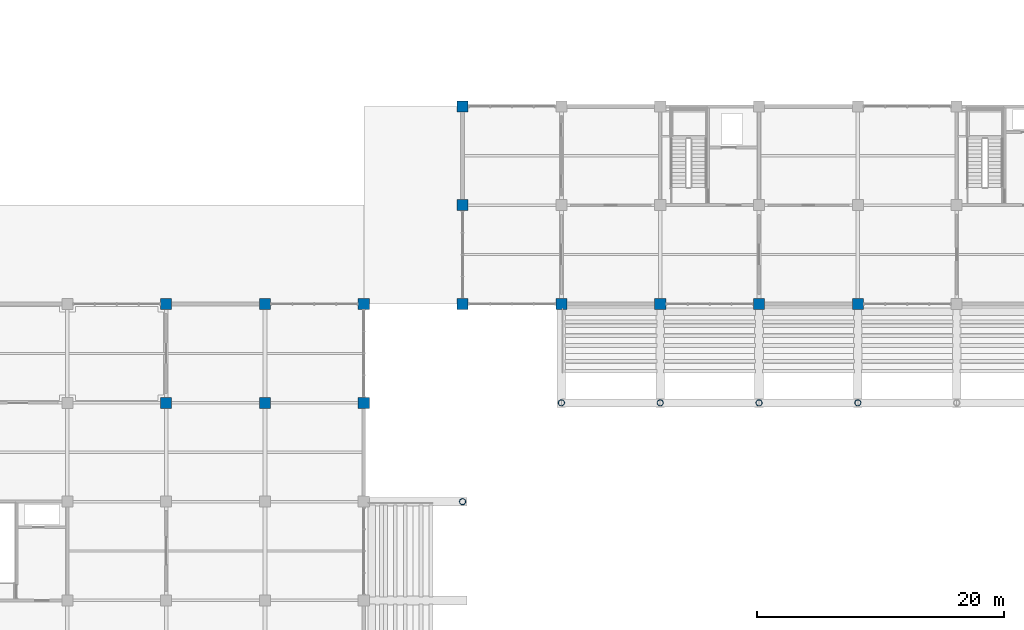
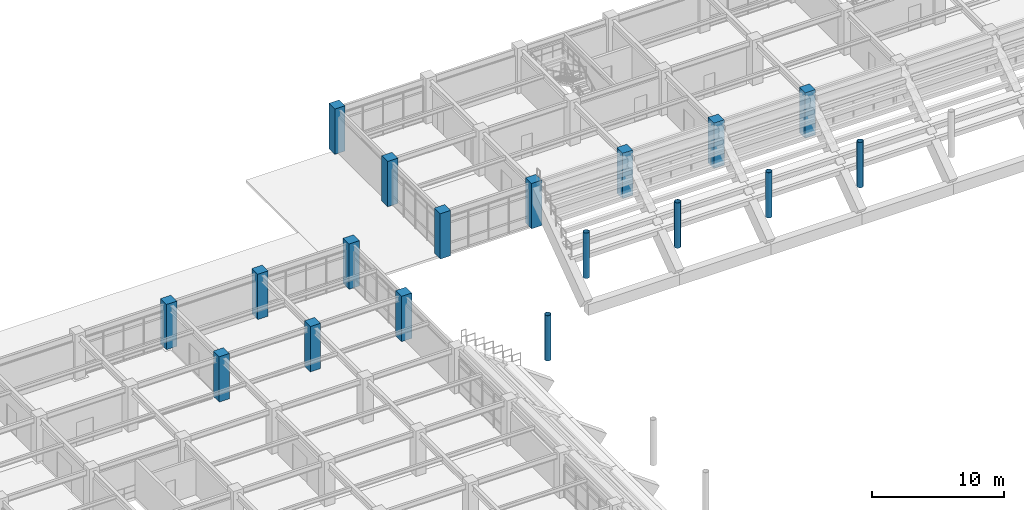
# One storey, part 12 of 118: 18 columns.
"""IFC4 building model written with IfcOpenShell, lengths in metres."""

from ifc_helpers import new_model, si_unit, direction, frame, origin, origin_2d, place, context, subcontext, project, spatial, rectangle, hollow_circle, extrude, material, material_profile, profile_set, type_object, element, save


model = new_model("IFC4")

# Units and contexts
model_context = context("Model", 3, precision=1e-05, world=origin(), true_north=direction((0.0, 1.0)))
body_context = subcontext(model_context, "Body", "Model", "MODEL_VIEW")
ifc_project = project(units=[si_unit("LENGTHUNIT", "METRE"), si_unit("AREAUNIT", "SQUARE_METRE"), si_unit("VOLUMEUNIT", "CUBIC_METRE"), si_unit("PLANEANGLEUNIT", "RADIAN"), si_unit("MASSUNIT", "GRAM", prefix="KILO")], contexts=[model_context])

# Site, building, storey
site_placement = place(None, origin())
site = spatial("IfcSite", under=ifc_project, at=site_placement, CompositionType="ELEMENT")
building_placement = place(site_placement, origin())
building = spatial("IfcBuilding", under=site, at=building_placement, Name="Haebicheon Civic Stadium", CompositionType="ELEMENT")
storey_placement = place(building_placement, frame((0.0, 0.0, 14.39990234375)))
storey = spatial("IfcBuildingStorey", under=building, at=storey_placement, Name="L04", CompositionType="ELEMENT", Elevation=14.39990234375)

# Columns
ifc_material_1 = material(Name="Concrete C40/50", Category="concrete")
ifc_material_profile_1 = material_profile(ifc_material_1, rectangle(XDim=0.89990234375, YDim=0.89990234375, at=origin_2d()), Name="RC-COL-900x900")
ifc_profile_set_1 = profile_set([ifc_material_profile_1], Name="Concrete C40/50")
column_type_1 = type_object("IfcColumnType", Name="COL-RC-900", PredefinedType="COLUMN", material=ifc_profile_set_1)
for number, where, z_axis, x_axis, name in (
    (1, (48.0, 144.0, 0.0), (0.0, 0.0, 1.0), (1.0, 0.0, 0.0), "L04 column 7/U"),
    (2, (48.0, 152.0, 0.0), (0.0, 0.0, 1.0), (1.0, 0.0, 0.0), "L04 column 7/V"),
    (3, (56.0, 144.0, 0.0), (0.0, 0.0, 1.0), (1.0, 0.0, 0.0), "L04 column 8/U"),
    (4, (56.0, 152.0, 0.0), (0.0, 0.0, 1.0), (1.0, 0.0, 0.0), "L04 column 8/V"),
    (5, (64.0, 144.0, 0.0), (0.0, 0.0, 1.0), (1.0, 0.0, 0.0), "L04 column 9/U"),
    (6, (64.0, 152.0, 0.0), (0.0, 0.0, 1.0), (1.0, 0.0, 0.0), "L04 column 9/V"),
    (7, (72.0, 152.0, 0.0), (0.0, 0.0, 1.0), (1.0, 0.0, 0.0), "L04 column 10/V"),
    (8, (72.0, 160.0, 0.0), (0.0, 0.0, 1.0), (1.0, 0.0, 0.0), "L04 column 10/W"),
    (9, (72.0, 168.0, 0.0), (0.0, 0.0, 1.0), (1.0, 0.0, 0.0), "L04 column 10/X"),
    (10, (80.0, 152.0, 0.0), (0.0, 0.0, 1.0), (1.0, 0.0, 0.0), "L04 column 11/V"),
    (11, (88.0, 152.0, 0.0), (0.0, 0.0, 1.0), (1.0, 0.0, 0.0), "L04 column 12/V"),
    (12, (96.0, 152.0, 0.0), (0.0, 0.0, 1.0), (1.0, 0.0, 0.0), "L04 column 13/V"),
    (13, (104.0, 152.0, 0.0), (0.0, 0.0, 1.0), (1.0, 0.0, 0.0), "L04 column 14/V"),
):
    element("IfcColumn", number, at=place(storey_placement, frame(where, z_axis=z_axis, x_axis=x_axis)), inside=storey, type_object=column_type_1, material=ifc_profile_set_1, Name=name, PredefinedType="COLUMN", context=body_context, shape_type="SweptSolid", body=[
        extrude(rectangle(XDim=0.89990234375, YDim=0.89990234375, at=origin_2d()), origin(), (0.0, 0.0, 1.0), 4.2001953125),
    ])
ifc_material_2 = material(Name="White painted steel SM490", Category="steel")
ifc_material_profile_2 = material_profile(ifc_material_2, hollow_circle(Radius=0.25390625, WallThickness=0.02490234375, at=origin_2d()), Name="CHS-508.0x25.0")
ifc_profile_set_2 = profile_set([ifc_material_profile_2], Name="White painted steel SM490")
column_type_2 = type_object("IfcColumnType", Name="COL-ST-CHS508", PredefinedType="COLUMN", material=ifc_profile_set_2)
for number, where, z_axis, x_axis, name in (
    (14, (72.0, 136.0, 0.0), (0.0, 0.0, 1.0), (1.0, 0.0, 0.0), "Bowl/canopy support column 72/136 (L04)"),
    (15, (80.0, 144.0, 0.0), (0.0, 0.0, 1.0), (1.0, 0.0, 0.0), "Bowl/canopy support column 80/144 (L04)"),
    (16, (88.0, 144.0, 0.0), (0.0, 0.0, 1.0), (1.0, 0.0, 0.0), "Bowl/canopy support column 88/144 (L04)"),
    (17, (96.0, 144.0, 0.0), (0.0, 0.0, 1.0), (1.0, 0.0, 0.0), "Bowl/canopy support column 96/144 (L04)"),
    (18, (104.0, 144.0, 0.0), (0.0, 0.0, 1.0), (1.0, 0.0, 0.0), "Bowl/canopy support column 104/144 (L04)"),
):
    element("IfcColumn", number, at=place(storey_placement, frame(where, z_axis=z_axis, x_axis=x_axis)), inside=storey, type_object=column_type_2, material=ifc_profile_set_2, Name=name, PredefinedType="COLUMN", context=body_context, shape_type="SweptSolid", body=[
        extrude(hollow_circle(Radius=0.25390625, WallThickness=0.02490234375, at=origin_2d()), origin(), (0.0, 0.0, 1.0), 4.2001953125),
    ])

save(model, "model.ifc")
